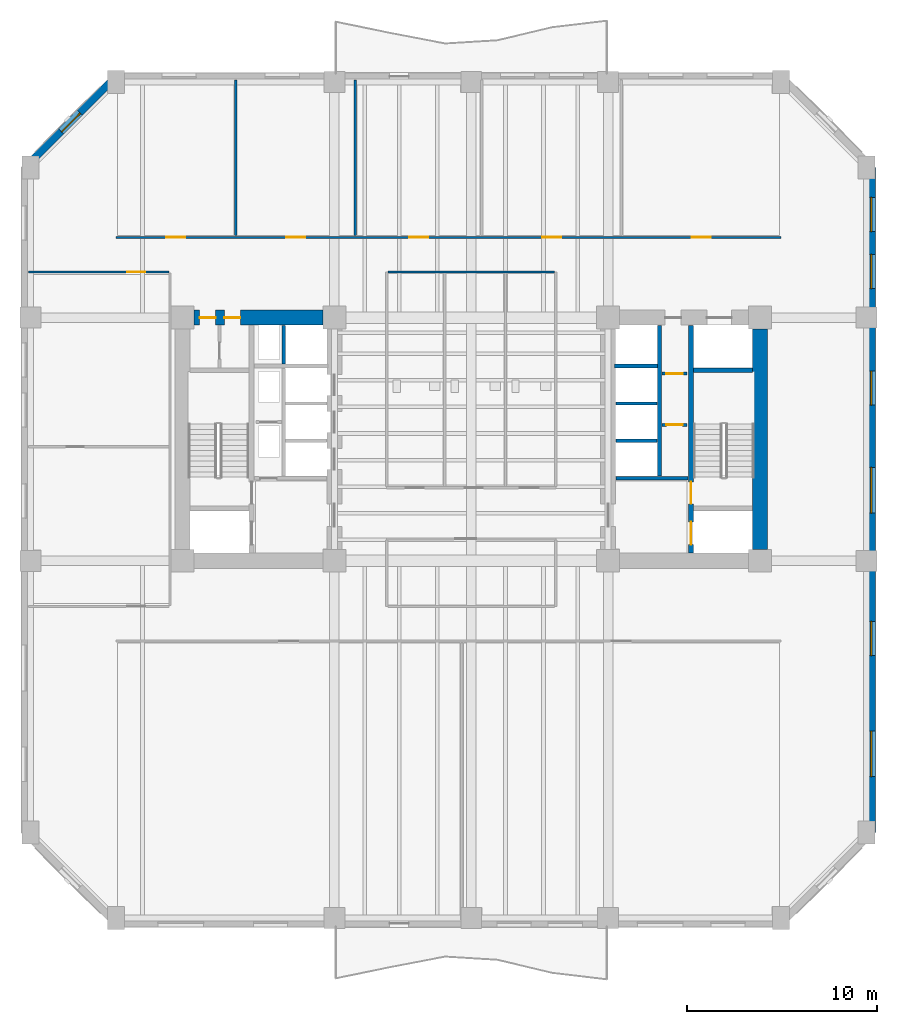
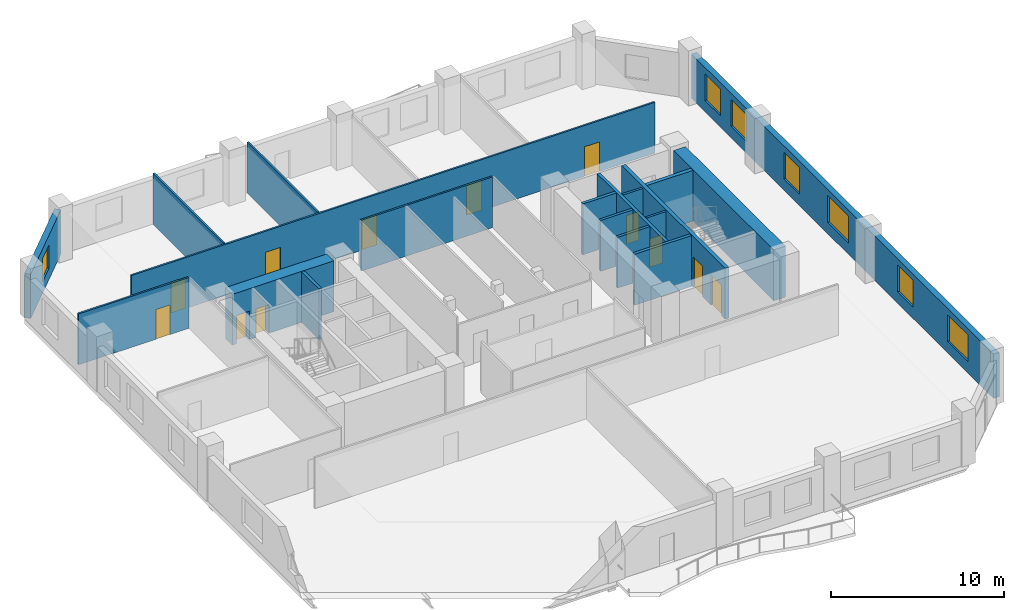
# One storey, part 4 of 10: 19 walls, 12 doors, 7 windows, 19 openings.
"""IFC4 building model written with IfcOpenShell, lengths in metres."""

from ifc_helpers import new_model, si_unit, direction, frame, frame_2d, origin, place, context, subcontext, project, spatial, rectangle, extrude, material, layer, layer_set, type_object, element, fill, save


model = new_model("IFC4")

# Units and contexts
model_context = context("Model", 3, precision=1e-05, world=origin(), true_north=direction((0.0, 1.0)))
body_context = subcontext(model_context, "Body", "Model", "MODEL_VIEW")
ifc_project = project(units=[si_unit("LENGTHUNIT", "METRE"), si_unit("AREAUNIT", "SQUARE_METRE"), si_unit("VOLUMEUNIT", "CUBIC_METRE"), si_unit("PLANEANGLEUNIT", "RADIAN"), si_unit("MASSUNIT", "GRAM", prefix="KILO")], contexts=[model_context])

# Site, building, storey
site_placement = place(None, origin())
site = spatial("IfcSite", under=ifc_project, at=site_placement, CompositionType="ELEMENT")
building_placement = place(site_placement, origin())
building = spatial("IfcBuilding", under=site, at=building_placement, Name="Kranthara Brick Stack", CompositionType="ELEMENT")
storey_placement = place(building_placement, frame((0.0, 0.0, 32.10009765625)))
storey = spatial("IfcBuildingStorey", under=building, at=storey_placement, Name="L07", CompositionType="ELEMENT", Elevation=32.10009765625)

# Wall, opening, window
ifc_material_1 = material(Name="Kiln-fired clay brick masonry M15", Category="masonry")
ifc_layer_1 = layer(ifc_material_1, 0.3798828125)
ifc_layer_set_1 = layer_set([ifc_layer_1], Name="Kiln-fired clay brick masonry M15")
wall_type_1 = type_object("IfcWallType", Name="WL-BRK-PIER-380", PredefinedType="STANDARD", material=ifc_layer_set_1)
wall_1_placement = place(storey_placement, frame((4.510009765625, 41.5, 0.0), z_axis=(0.0, 0.0, 1.0), x_axis=(0.707106781187, 0.707106781187, 0.0)))
wall_1 = element("IfcWall", 1, at=wall_1_placement, inside=storey, type_object=wall_type_1, Name="L07 Exterior Brick Facade Wall NW 1", PredefinedType="STANDARD", context=body_context, shape_type="SweptSolid", body=[
    extrude(rectangle(XDim=6.774169921875, YDim=0.3798828125, at=frame_2d((3.38720703125, 0.0))), origin(), (0.0, 0.0, 1.0), 3.135009765625),
])
opening_1_placement = place(wall_1_placement, frame((2.68701171875, 0.0, 0.800048828125)))
opening_1 = element("IfcOpeningElement", 2, at=opening_1_placement, cuts=wall_1, Name="Opening WN10", PredefinedType="OPENING", context=body_context, shape_type="SweptSolid", body=[
    extrude(rectangle(XDim=1.39990234375, YDim=1.64990234375, at=frame_2d((0.699951171875, 0.824951171875))), frame((0.0, 0.199951171875, 0.0), z_axis=(0.0, -1.0, 0.0), x_axis=(1.0, 0.0, 0.0)), (0.0, 0.0, 1.0), 0.39990234375),
])
ifc_material_2 = material(Name="Double-glazed low-E solar control glass", Category="glass")
window_type_1 = type_object("IfcWindowType", Name="WN-CHM-1400x1750", PartitioningType="SINGLE_PANEL", PredefinedType="WINDOW", material=ifc_material_2)
window_1_placement = place(opening_1_placement, origin())
window_1 = element("IfcWindow", 3, at=window_1_placement, inside=storey, type_object=window_type_1, Name="L07 NW Chamfer Corner Window", OverallHeight=1.64990234375, OverallWidth=1.39990234375, PartitioningType="SINGLE_PANEL", PredefinedType="WINDOW", context=body_context, shape_type="SweptSolid", body=[
    extrude(rectangle(XDim=1.39990234375, YDim=1.64990234375, at=frame_2d((0.699951171875, 0.824951171875))), frame((0.0, -0.010009765625, 0.0), z_axis=(0.0, -1.0, 0.0), x_axis=(1.0, 0.0, 0.0)), (0.0, 0.0, 1.0), 0.06005859375),
])
fill(opening_1, window_1)

# Wall, openings, windows
wall_2_placement = place(storey_placement, frame((49.090087890625, 41.5, 0.0), z_axis=(0.0, 0.0, 1.0), x_axis=(0.0, -1.0, 0.0)))
wall_2 = element("IfcWall", 4, at=wall_2_placement, inside=storey, type_object=wall_type_1, Name="L07 Exterior Brick Facade Wall EAST 1", PredefinedType="STANDARD", context=body_context, shape_type="SweptSolid", body=[
    extrude(rectangle(XDim=35.0, YDim=0.3798828125, at=frame_2d((17.5, 0.0))), origin(), (0.0, 0.0, 1.0), 3.135009765625),
])
opening_2_placement = place(wall_2_placement, frame((1.574951171875, 0.0, 0.800048828125)))
opening_2 = element("IfcOpeningElement", 5, at=opening_2_placement, cuts=wall_2, Name="Opening WN01", PredefinedType="OPENING", context=body_context, shape_type="SweptSolid", body=[
    extrude(rectangle(XDim=1.800048828125, YDim=1.89990234375, at=frame_2d((0.89990234375, 0.949951171875))), frame((0.0, 0.199951171875, 0.0), z_axis=(0.0, -1.0, 0.0), x_axis=(1.0, 0.0, 0.0)), (0.0, 0.0, 1.0), 0.39990234375),
])
opening_3_placement = place(wall_2_placement, frame((4.574951171875, 0.0, 0.800048828125)))
opening_3 = element("IfcOpeningElement", 6, at=opening_3_placement, cuts=wall_2, Name="Opening WN01", PredefinedType="OPENING", context=body_context, shape_type="SweptSolid", body=[
    extrude(rectangle(XDim=1.800048828125, YDim=1.89990234375, at=frame_2d((0.89990234375, 0.949951171875))), frame((0.0, 0.199951171875, 0.0), z_axis=(0.0, -1.0, 0.0), x_axis=(1.0, 0.0, 0.0)), (0.0, 0.0, 1.0), 0.39990234375),
])
opening_4_placement = place(wall_2_placement, frame((10.7119140625, 0.0, 0.800048828125)))
opening_4 = element("IfcOpeningElement", 7, at=opening_4_placement, cuts=wall_2, Name="Opening WN01", PredefinedType="OPENING", context=body_context, shape_type="SweptSolid", body=[
    extrude(rectangle(XDim=1.800048828125, YDim=1.89990234375, at=frame_2d((0.89990234375, 0.949951171875))), frame((0.0, 0.199951171875, 0.0), z_axis=(0.0, -1.0, 0.0), x_axis=(1.0, 0.0, 0.0)), (0.0, 0.0, 1.0), 0.39990234375),
])
opening_5_placement = place(wall_2_placement, frame((15.7880859375, 0.0, 0.800048828125)))
opening_5 = element("IfcOpeningElement", 8, at=opening_5_placement, cuts=wall_2, Name="Opening WN02", PredefinedType="OPENING", context=body_context, shape_type="SweptSolid", body=[
    extrude(rectangle(XDim=2.39990234375, YDim=1.89990234375, at=frame_2d((1.199951171875, 0.949951171875))), frame((0.0, 0.199951171875, 0.0), z_axis=(0.0, -1.0, 0.0), x_axis=(1.0, 0.0, 0.0)), (0.0, 0.0, 1.0), 0.39990234375),
])
opening_6_placement = place(wall_2_placement, frame((23.888916015625, 0.0, 0.800048828125)))
opening_6 = element("IfcOpeningElement", 9, at=opening_6_placement, cuts=wall_2, Name="Opening WN01", PredefinedType="OPENING", context=body_context, shape_type="SweptSolid", body=[
    extrude(rectangle(XDim=1.800048828125, YDim=1.89990234375, at=frame_2d((0.89990234375, 0.949951171875))), frame((0.0, 0.199951171875, 0.0), z_axis=(0.0, -1.0, 0.0), x_axis=(1.0, 0.0, 0.0)), (0.0, 0.0, 1.0), 0.39990234375),
])
opening_7_placement = place(wall_2_placement, frame((29.660888671875, 0.0, 0.800048828125)))
opening_7 = element("IfcOpeningElement", 10, at=opening_7_placement, cuts=wall_2, Name="Opening WN02", PredefinedType="OPENING", context=body_context, shape_type="SweptSolid", body=[
    extrude(rectangle(XDim=2.39990234375, YDim=1.89990234375, at=frame_2d((1.199951171875, 0.949951171875))), frame((0.0, 0.199951171875, 0.0), z_axis=(0.0, -1.0, 0.0), x_axis=(1.0, 0.0, 0.0)), (0.0, 0.0, 1.0), 0.39990234375),
])
ifc_material_3 = material(Name="Double-glazed low-E solar control glass", Category="glass")
window_type_2 = type_object("IfcWindowType", Name="WN-OFF-1800x2000", PartitioningType="SINGLE_PANEL", PredefinedType="WINDOW", material=ifc_material_3)
window_2_placement = place(opening_2_placement, origin())
window_2 = element("IfcWindow", 11, at=window_2_placement, inside=storey, type_object=window_type_2, Name="L07 East Deep-Set Brick Window 01", OverallHeight=1.89990234375, OverallWidth=1.800048828125, PartitioningType="SINGLE_PANEL", PredefinedType="WINDOW", context=body_context, shape_type="SweptSolid", body=[
    extrude(rectangle(XDim=1.800048828125, YDim=1.89990234375, at=frame_2d((0.89990234375, 0.949951171875))), frame((0.0, -0.010009765625, 0.0), z_axis=(0.0, -1.0, 0.0), x_axis=(1.0, 0.0, 0.0)), (0.0, 0.0, 1.0), 0.06005859375),
])
fill(opening_2, window_2)
window_3_placement = place(opening_3_placement, origin())
window_3 = element("IfcWindow", 12, at=window_3_placement, inside=storey, type_object=window_type_2, Name="L07 East Deep-Set Brick Window 02", OverallHeight=1.89990234375, OverallWidth=1.800048828125, PartitioningType="SINGLE_PANEL", PredefinedType="WINDOW", context=body_context, shape_type="SweptSolid", body=[
    extrude(rectangle(XDim=1.800048828125, YDim=1.89990234375, at=frame_2d((0.89990234375, 0.949951171875))), frame((0.0, -0.010009765625, 0.0), z_axis=(0.0, -1.0, 0.0), x_axis=(1.0, 0.0, 0.0)), (0.0, 0.0, 1.0), 0.06005859375),
])
fill(opening_3, window_3)
window_4_placement = place(opening_4_placement, origin())
window_4 = element("IfcWindow", 13, at=window_4_placement, inside=storey, type_object=window_type_2, Name="L07 East Deep-Set Brick Window 03", OverallHeight=1.89990234375, OverallWidth=1.800048828125, PartitioningType="SINGLE_PANEL", PredefinedType="WINDOW", context=body_context, shape_type="SweptSolid", body=[
    extrude(rectangle(XDim=1.800048828125, YDim=1.89990234375, at=frame_2d((0.89990234375, 0.949951171875))), frame((0.0, -0.010009765625, 0.0), z_axis=(0.0, -1.0, 0.0), x_axis=(1.0, 0.0, 0.0)), (0.0, 0.0, 1.0), 0.06005859375),
])
fill(opening_4, window_4)
window_5_placement = place(opening_6_placement, origin())
window_5 = element("IfcWindow", 14, at=window_5_placement, inside=storey, type_object=window_type_2, Name="L07 East Deep-Set Brick Window 05", OverallHeight=1.89990234375, OverallWidth=1.800048828125, PartitioningType="SINGLE_PANEL", PredefinedType="WINDOW", context=body_context, shape_type="SweptSolid", body=[
    extrude(rectangle(XDim=1.800048828125, YDim=1.89990234375, at=frame_2d((0.89990234375, 0.949951171875))), frame((0.0, -0.010009765625, 0.0), z_axis=(0.0, -1.0, 0.0), x_axis=(1.0, 0.0, 0.0)), (0.0, 0.0, 1.0), 0.06005859375),
])
fill(opening_6, window_5)
ifc_material_4 = material(Name="Double-glazed low-E solar control glass", Category="glass")
window_type_3 = type_object("IfcWindowType", Name="WN-OFF-2400x2000", PartitioningType="DOUBLE_PANEL_VERTICAL", PredefinedType="WINDOW", material=ifc_material_4)
window_6_placement = place(opening_5_placement, origin())
window_6 = element("IfcWindow", 15, at=window_6_placement, inside=storey, type_object=window_type_3, Name="L07 East Deep-Set Brick Window 04", OverallHeight=1.89990234375, OverallWidth=2.39990234375, PartitioningType="SINGLE_PANEL", PredefinedType="WINDOW", context=body_context, shape_type="SweptSolid", body=[
    extrude(rectangle(XDim=2.39990234375, YDim=1.89990234375, at=frame_2d((1.199951171875, 0.949951171875))), frame((0.0, -0.010009765625, 0.0), z_axis=(0.0, -1.0, 0.0), x_axis=(1.0, 0.0, 0.0)), (0.0, 0.0, 1.0), 0.06005859375),
])
fill(opening_5, window_6)
window_7_placement = place(opening_7_placement, origin())
window_7 = element("IfcWindow", 16, at=window_7_placement, inside=storey, type_object=window_type_3, Name="L07 East Deep-Set Brick Window 06", OverallHeight=1.89990234375, OverallWidth=2.39990234375, PartitioningType="SINGLE_PANEL", PredefinedType="WINDOW", context=body_context, shape_type="SweptSolid", body=[
    extrude(rectangle(XDim=2.39990234375, YDim=1.89990234375, at=frame_2d((1.199951171875, 0.949951171875))), frame((0.0, -0.010009765625, 0.0), z_axis=(0.0, -1.0, 0.0), x_axis=(1.0, 0.0, 0.0)), (0.0, 0.0, 1.0), 0.06005859375),
])
fill(opening_7, window_7)

# Wall, openings, doors
ifc_material_5 = material(Name="Concrete C50/60", Category="concrete")
ifc_layer_2 = layer(ifc_material_5, 0.25)
ifc_layer_set_2 = layer_set([ifc_layer_2], Name="Concrete C50/60")
wall_type_2 = type_object("IfcWallType", Name="WL-CORE-250", PredefinedType="SHEAR", material=ifc_layer_set_2)
wall_3_placement = place(storey_placement, frame((39.56494140625, 21.2099609375, 0.0), z_axis=(0.0, 0.0, 1.0), x_axis=(0.0, 1.0, 0.0)))
wall_3 = element("IfcWall", 17, at=wall_3_placement, inside=storey, type_object=wall_type_2, Name="L07 East Core Stair Bearing Spine Wall", PredefinedType="SHEAR", context=body_context, shape_type="SweptSolid", body=[
    extrude(rectangle(XDim=11.97998046875, YDim=0.25, at=frame_2d((5.989990234375, 0.0))), origin(), (0.0, 0.0, 1.0), 3.599853515625),
])
opening_8_placement = place(wall_3_placement, frame((0.43994140625, 0.0, 0.0)))
opening_8 = element("IfcOpeningElement", 18, at=opening_8_placement, cuts=wall_3, Name="Opening LD01", PredefinedType="OPENING", context=body_context, shape_type="SweptSolid", body=[
    extrude(rectangle(XDim=1.199951171875, YDim=2.14990234375, at=frame_2d((0.60009765625, 1.074951171875))), frame((0.0, 0.135009765625, 0.0), z_axis=(0.0, -1.0, 0.0), x_axis=(1.0, 0.0, 0.0)), (0.0, 0.0, 1.0), 0.27001953125),
])
opening_9_placement = place(wall_3_placement, frame((2.590087890625, 0.0, 0.0)))
opening_9 = element("IfcOpeningElement", 19, at=opening_9_placement, cuts=wall_3, Name="Opening D05", PredefinedType="OPENING", context=body_context, shape_type="SweptSolid", body=[
    extrude(rectangle(XDim=1.14990234375, YDim=2.14990234375, at=frame_2d((0.574951171875, 1.074951171875))), frame((0.0, 0.135009765625, 0.0), z_axis=(0.0, -1.0, 0.0), x_axis=(1.0, 0.0, 0.0)), (0.0, 0.0, 1.0), 0.27001953125),
])
ifc_material_6 = material(Name="Stainless steel sliding landing door", Category="steel")
door_type_1 = type_object("IfcDoorType", Name="DR-LD-FF1200", OperationType="DOUBLE_DOOR_SLIDING", PredefinedType="DOOR", material=ifc_material_6)
door_1_placement = place(opening_8_placement, origin())
door_1 = element("IfcDoor", 20, at=door_1_placement, inside=storey, type_object=door_type_1, Name="L07 Firefighting Lift FF-02 Landing Door", OperationType="DOUBLE_DOOR_SLIDING", OverallHeight=2.14990234375, OverallWidth=1.199951171875, PredefinedType="DOOR", context=body_context, shape_type="SweptSolid", body=[
    extrude(rectangle(XDim=1.199951171875, YDim=2.14990234375, at=frame_2d((0.60009765625, 1.074951171875))), frame((0.0, 0.02490234375, 0.0), z_axis=(0.0, -1.0, 0.0), x_axis=(1.0, 0.0, 0.0)), (0.0, 0.0, 1.0), 0.050048828125),
])
fill(opening_8, door_1)
ifc_material_7 = material(Name="Solid-core hardwood timber leaf in steel frame", Category="steel")
door_type_2 = type_object("IfcDoorType", Name="DR-ST-1150", OperationType="NOTDEFINED", PredefinedType="DOOR", material=ifc_material_7)
door_2_placement = place(opening_9_placement, origin())
door_2 = element("IfcDoor", 21, at=door_2_placement, inside=storey, type_object=door_type_2, Name="L07 Exit Stair ST02 Door", OperationType="SINGLE_SWING_LEFT", OverallHeight=2.14990234375, OverallWidth=1.14990234375, PredefinedType="DOOR", context=body_context, shape_type="SweptSolid", body=[
    extrude(rectangle(XDim=1.14990234375, YDim=2.14990234375, at=frame_2d((0.574951171875, 1.074951171875))), frame((0.0, 0.02490234375, 0.0), z_axis=(0.0, -1.0, 0.0), x_axis=(1.0, 0.0, 0.0)), (0.0, 0.0, 1.0), 0.050048828125),
])
fill(opening_9, door_2)

# Wall
wall_4_placement = place(storey_placement, frame((39.68994140625, 30.830078125, 0.0), z_axis=(0.0, 0.0, 1.0), x_axis=(1.0, 0.0, 0.0)))
element("IfcWall", 22, at=wall_4_placement, inside=storey, type_object=wall_type_2, Name="L07 East Stairwell Bearing Wall EST", PredefinedType="SHEAR", context=body_context, shape_type="SweptSolid", body=[
    extrude(rectangle(XDim=3.10009765625, YDim=0.25, at=frame_2d((1.550048828125, 0.0))), origin(), (0.0, 0.0, 1.0), 3.599853515625),
])

# Wall, openings, doors
ifc_material_8 = material(Name="Concrete C70/85", Category="concrete")
ifc_layer_3 = layer(ifc_material_8, 0.800048828125)
ifc_layer_set_3 = layer_set([ifc_layer_3], Name="Concrete C70/85")
wall_type_3 = type_object("IfcWallType", Name="WL-CORE-800", PredefinedType="SHEAR", material=ifc_layer_set_3)
wall_5_placement = place(storey_placement, frame((13.405029296875, 33.60009765625, 0.0), z_axis=(0.0, 0.0, 1.0), x_axis=(1.0, 0.0, 0.0)))
wall_5 = element("IfcWall", 23, at=wall_5_placement, inside=storey, type_object=wall_type_3, Name="L07 West Core Shear Wall North", PredefinedType="SHEAR", context=body_context, shape_type="SweptSolid", body=[
    extrude(rectangle(XDim=6.7900390625, YDim=0.800048828125, at=frame_2d((3.39501953125, 0.0))), origin(), (0.0, 0.0, 1.0), 3.599853515625),
])
opening_10_placement = place(wall_5_placement, frame((0.294921875, 0.0, 0.0)))
opening_10 = element("IfcOpeningElement", 24, at=opening_10_placement, cuts=wall_5, Name="Opening D10", PredefinedType="OPENING", context=body_context, shape_type="SweptSolid", body=[
    extrude(rectangle(XDim=0.85009765625, YDim=2.02001953125, at=frame_2d((0.425048828125, 1.010009765625))), frame((0.0, 0.409912109375, 0.0), z_axis=(0.0, -1.0, 0.0), x_axis=(1.0, 0.0, 0.0)), (0.0, 0.0, 1.0), 0.820068359375),
])
opening_11_placement = place(wall_5_placement, frame((1.594970703125, 0.0, 0.0)))
opening_11 = element("IfcOpeningElement", 25, at=opening_11_placement, cuts=wall_5, Name="Opening D10", PredefinedType="OPENING", context=body_context, shape_type="SweptSolid", body=[
    extrude(rectangle(XDim=0.85009765625, YDim=2.02001953125, at=frame_2d((0.425048828125, 1.010009765625))), frame((0.0, 0.409912109375, 0.0), z_axis=(0.0, -1.0, 0.0), x_axis=(1.0, 0.0, 0.0)), (0.0, 0.0, 1.0), 0.820068359375),
])
ifc_material_9 = material(Name="Solid-core hardwood timber leaf in steel frame", Category="steel")
door_type_3 = type_object("IfcDoorType", Name="DR-RSR-850", OperationType="NOTDEFINED", PredefinedType="DOOR", material=ifc_material_9)
door_3_placement = place(opening_10_placement, origin())
door_3 = element("IfcDoor", 26, at=door_3_placement, inside=storey, type_object=door_type_3, Name="L07 West Core Service Door 1", OperationType="SINGLE_SWING_LEFT", OverallHeight=2.02001953125, OverallWidth=0.85009765625, PredefinedType="DOOR", context=body_context, shape_type="SweptSolid", body=[
    extrude(rectangle(XDim=0.85009765625, YDim=2.02001953125, at=frame_2d((0.425048828125, 1.010009765625))), frame((0.0, 0.02490234375, 0.0), z_axis=(0.0, -1.0, 0.0), x_axis=(1.0, 0.0, 0.0)), (0.0, 0.0, 1.0), 0.050048828125),
])
fill(opening_10, door_3)
door_4_placement = place(opening_11_placement, origin())
door_4 = element("IfcDoor", 27, at=door_4_placement, inside=storey, type_object=door_type_3, Name="L07 West Core Service Door 2", OperationType="SINGLE_SWING_RIGHT", OverallHeight=2.02001953125, OverallWidth=0.85009765625, PredefinedType="DOOR", context=body_context, shape_type="SweptSolid", body=[
    extrude(rectangle(XDim=0.85009765625, YDim=2.02001953125, at=frame_2d((0.425048828125, 1.010009765625))), frame((0.0, 0.02490234375, 0.0), z_axis=(0.0, -1.0, 0.0), x_axis=(1.0, 0.0, 0.0)), (0.0, 0.0, 1.0), 0.050048828125),
])
fill(opening_11, door_4)

# Walls
wall_6_placement = place(storey_placement, frame((43.199951171875, 21.405029296875, 0.0), z_axis=(0.0, 0.0, 1.0), x_axis=(0.0, 1.0, 0.0)))
element("IfcWall", 28, at=wall_6_placement, inside=storey, type_object=wall_type_3, Name="L07 East Core Shear Wall East", PredefinedType="SHEAR", context=body_context, shape_type="SweptSolid", body=[
    extrude(rectangle(XDim=11.590087890625, YDim=0.800048828125, at=frame_2d((5.794921875, 0.0))), origin(), (0.0, 0.0, 1.0), 3.599853515625),
])
ifc_material_10 = material(Name="Acoustic gypsum plasterboard partition", Category="other")
ifc_layer_4 = layer(ifc_material_10, 0.1201171875)
ifc_layer_set_4 = layer_set([ifc_layer_4], Name="Acoustic gypsum plasterboard partition")
wall_type_4 = type_object("IfcWallType", Name="WL-PART-120", PredefinedType="PARTITIONING", material=ifc_layer_set_4)
wall_7_placement = place(storey_placement, frame((23.614990234375, 36.0, 0.0), z_axis=(0.0, 0.0, 1.0), x_axis=(1.0, 0.0, 0.0)))
element("IfcWall", 29, at=wall_7_placement, inside=storey, type_object=wall_type_4, Name="L07 Interior Partition 010", PredefinedType="PARTITIONING", context=body_context, shape_type="SweptSolid", body=[
    extrude(rectangle(XDim=8.77001953125, YDim=0.1201171875, at=frame_2d((4.385009765625, 0.0))), origin(), (0.0, 0.0, 1.0), 3.599853515625),
])

# Wall, openings, doors
wall_8_placement = place(storey_placement, frame((9.300048828125, 37.820068359375, 0.0), z_axis=(0.0, 0.0, 1.0), x_axis=(1.0, 0.0, 0.0)))
wall_8 = element("IfcWall", 30, at=wall_8_placement, inside=storey, type_object=wall_type_4, Name="L07 Interior Partition 017", PredefinedType="PARTITIONING", context=body_context, shape_type="SweptSolid", body=[
    extrude(rectangle(XDim=35.0, YDim=0.1201171875, at=frame_2d((17.5, 0.0))), origin(), (0.0, 0.0, 1.0), 3.599853515625),
])
opening_12_placement = place(wall_8_placement, frame((2.64990234375, 0.0, 0.0)))
opening_12 = element("IfcOpeningElement", 31, at=opening_12_placement, cuts=wall_8, Name="Opening D13", PredefinedType="OPENING", context=body_context, shape_type="SweptSolid", body=[
    extrude(rectangle(XDim=1.0, YDim=2.10009765625, at=frame_2d((0.5, 1.050048828125))), frame((0.0, 0.070068359375, 0.0), z_axis=(0.0, -1.0, 0.0), x_axis=(1.0, 0.0, 0.0)), (0.0, 0.0, 1.0), 0.14013671875),
])
opening_13_placement = place(wall_8_placement, frame((8.949951171875, 0.0, 0.0)))
opening_13 = element("IfcOpeningElement", 32, at=opening_13_placement, cuts=wall_8, Name="Opening D13", PredefinedType="OPENING", context=body_context, shape_type="SweptSolid", body=[
    extrude(rectangle(XDim=1.0, YDim=2.10009765625, at=frame_2d((0.5, 1.050048828125))), frame((0.0, 0.070068359375, 0.0), z_axis=(0.0, -1.0, 0.0), x_axis=(1.0, 0.0, 0.0)), (0.0, 0.0, 1.0), 0.14013671875),
])
opening_14_placement = place(wall_8_placement, frame((15.425048828125, 0.0, 0.0)))
opening_14 = element("IfcOpeningElement", 33, at=opening_14_placement, cuts=wall_8, Name="Opening D13", PredefinedType="OPENING", context=body_context, shape_type="SweptSolid", body=[
    extrude(rectangle(XDim=1.0, YDim=2.10009765625, at=frame_2d((0.5, 1.050048828125))), frame((0.0, 0.070068359375, 0.0), z_axis=(0.0, -1.0, 0.0), x_axis=(1.0, 0.0, 0.0)), (0.0, 0.0, 1.0), 0.14013671875),
])
opening_15_placement = place(wall_8_placement, frame((22.425048828125, 0.0, 0.0)))
opening_15 = element("IfcOpeningElement", 34, at=opening_15_placement, cuts=wall_8, Name="Opening D13", PredefinedType="OPENING", context=body_context, shape_type="SweptSolid", body=[
    extrude(rectangle(XDim=1.0, YDim=2.10009765625, at=frame_2d((0.5, 1.050048828125))), frame((0.0, 0.070068359375, 0.0), z_axis=(0.0, -1.0, 0.0), x_axis=(1.0, 0.0, 0.0)), (0.0, 0.0, 1.0), 0.14013671875),
])
opening_16_placement = place(wall_8_placement, frame((30.300048828125, 0.0, 0.0)))
opening_16 = element("IfcOpeningElement", 35, at=opening_16_placement, cuts=wall_8, Name="Opening D13", PredefinedType="OPENING", context=body_context, shape_type="SweptSolid", body=[
    extrude(rectangle(XDim=1.0, YDim=2.10009765625, at=frame_2d((0.5, 1.050048828125))), frame((0.0, 0.070068359375, 0.0), z_axis=(0.0, -1.0, 0.0), x_axis=(1.0, 0.0, 0.0)), (0.0, 0.0, 1.0), 0.14013671875),
])
ifc_material_11 = material(Name="Solid-core hardwood timber leaf in steel frame", Category="steel")
door_type_4 = type_object("IfcDoorType", Name="DR-INT-1000", OperationType="NOTDEFINED", PredefinedType="DOOR", material=ifc_material_11)
door_5_placement = place(opening_12_placement, origin())
door_5 = element("IfcDoor", 36, at=door_5_placement, inside=storey, type_object=door_type_4, Name="L07 Executive Cellular Office 11", OperationType="SINGLE_SWING_LEFT", OverallHeight=2.10009765625, OverallWidth=1.0, PredefinedType="DOOR", context=body_context, shape_type="SweptSolid", body=[
    extrude(rectangle(XDim=1.0, YDim=2.10009765625, at=frame_2d((0.5, 1.050048828125))), frame((0.0, 0.02490234375, 0.0), z_axis=(0.0, -1.0, 0.0), x_axis=(1.0, 0.0, 0.0)), (0.0, 0.0, 1.0), 0.050048828125),
])
fill(opening_12, door_5)
door_6_placement = place(opening_13_placement, origin())
door_6 = element("IfcDoor", 37, at=door_6_placement, inside=storey, type_object=door_type_4, Name="L07 Executive Cellular Office 12", OperationType="SINGLE_SWING_RIGHT", OverallHeight=2.10009765625, OverallWidth=1.0, PredefinedType="DOOR", context=body_context, shape_type="SweptSolid", body=[
    extrude(rectangle(XDim=1.0, YDim=2.10009765625, at=frame_2d((0.5, 1.050048828125))), frame((0.0, 0.02490234375, 0.0), z_axis=(0.0, -1.0, 0.0), x_axis=(1.0, 0.0, 0.0)), (0.0, 0.0, 1.0), 0.050048828125),
])
fill(opening_13, door_6)
door_7_placement = place(opening_14_placement, origin())
door_7 = element("IfcDoor", 38, at=door_7_placement, inside=storey, type_object=door_type_4, Name="L07 Executive Cellular Office 13", OperationType="SINGLE_SWING_LEFT", OverallHeight=2.10009765625, OverallWidth=1.0, PredefinedType="DOOR", context=body_context, shape_type="SweptSolid", body=[
    extrude(rectangle(XDim=1.0, YDim=2.10009765625, at=frame_2d((0.5, 1.050048828125))), frame((0.0, 0.02490234375, 0.0), z_axis=(0.0, -1.0, 0.0), x_axis=(1.0, 0.0, 0.0)), (0.0, 0.0, 1.0), 0.050048828125),
])
fill(opening_14, door_7)
door_8_placement = place(opening_15_placement, origin())
door_8 = element("IfcDoor", 39, at=door_8_placement, inside=storey, type_object=door_type_4, Name="L07 Meeting Room 14", OperationType="SINGLE_SWING_RIGHT", OverallHeight=2.10009765625, OverallWidth=1.0, PredefinedType="DOOR", context=body_context, shape_type="SweptSolid", body=[
    extrude(rectangle(XDim=1.0, YDim=2.10009765625, at=frame_2d((0.5, 1.050048828125))), frame((0.0, 0.02490234375, 0.0), z_axis=(0.0, -1.0, 0.0), x_axis=(1.0, 0.0, 0.0)), (0.0, 0.0, 1.0), 0.050048828125),
])
fill(opening_15, door_8)
door_9_placement = place(opening_16_placement, origin())
door_9 = element("IfcDoor", 40, at=door_9_placement, inside=storey, type_object=door_type_4, Name="L07 Staff Pantry 15", OperationType="SINGLE_SWING_LEFT", OverallHeight=2.10009765625, OverallWidth=1.0, PredefinedType="DOOR", context=body_context, shape_type="SweptSolid", body=[
    extrude(rectangle(XDim=1.0, YDim=2.10009765625, at=frame_2d((0.5, 1.050048828125))), frame((0.0, 0.02490234375, 0.0), z_axis=(0.0, -1.0, 0.0), x_axis=(1.0, 0.0, 0.0)), (0.0, 0.0, 1.0), 0.050048828125),
])
fill(opening_16, door_9)

# Walls
for number, where, z_axis, x_axis, name in (
    (41, (15.60009765625, 37.919921875, 0.0), (0.0, 0.0, 1.0), (0.0, 1.0, 0.0), "L07 Interior Partition 018"),
    (42, (21.89990234375, 37.919921875, 0.0), (0.0, 0.0, 1.0), (0.0, 1.0, 0.0), "L07 Interior Partition 019"),
):
    element("IfcWall", number, at=place(storey_placement, frame(where, z_axis=z_axis, x_axis=x_axis)), inside=storey, type_object=wall_type_4, Name=name, PredefinedType="PARTITIONING", context=body_context, shape_type="SweptSolid", body=[
        extrude(rectangle(XDim=8.175048828125, YDim=0.1201171875, at=frame_2d((4.08740234375, 0.0))), origin(), (0.0, 0.0, 1.0), 3.599853515625),
    ])

# Wall, opening, door
wall_9_placement = place(storey_placement, frame((4.705078125, 36.0, 0.0), z_axis=(0.0, 0.0, 1.0), x_axis=(1.0, 0.0, 0.0)))
wall_9 = element("IfcWall", 43, at=wall_9_placement, inside=storey, type_object=wall_type_4, Name="L07 Interior Partition 024", PredefinedType="PARTITIONING", context=body_context, shape_type="SweptSolid", body=[
    extrude(rectangle(XDim=7.3798828125, YDim=0.1201171875, at=frame_2d((3.68994140625, 0.0))), origin(), (0.0, 0.0, 1.0), 3.599853515625),
])
opening_17_placement = place(wall_9_placement, frame((5.179931640625, 0.0, 0.0)))
opening_17 = element("IfcOpeningElement", 44, at=opening_17_placement, cuts=wall_9, Name="Opening D14", PredefinedType="OPENING", context=body_context, shape_type="SweptSolid", body=[
    extrude(rectangle(XDim=0.949951171875, YDim=2.10009765625, at=frame_2d((0.47509765625, 1.050048828125))), frame((0.0, 0.070068359375, 0.0), z_axis=(0.0, -1.0, 0.0), x_axis=(1.0, 0.0, 0.0)), (0.0, 0.0, 1.0), 0.14013671875),
])
ifc_material_12 = material(Name="Solid-core hardwood timber leaf in steel frame", Category="steel")
door_type_5 = type_object("IfcDoorType", Name="DR-INT-950", OperationType="NOTDEFINED", PredefinedType="DOOR", material=ifc_material_12)
door_10_placement = place(opening_17_placement, origin())
door_10 = element("IfcDoor", 45, at=door_10_placement, inside=storey, type_object=door_type_5, Name="L07 West North Office 18", OperationType="SINGLE_SWING_RIGHT", OverallHeight=2.10009765625, OverallWidth=0.949951171875, PredefinedType="DOOR", context=body_context, shape_type="SweptSolid", body=[
    extrude(rectangle(XDim=0.949951171875, YDim=2.10009765625, at=frame_2d((0.47509765625, 1.050048828125))), frame((0.0, 0.02490234375, 0.0), z_axis=(0.0, -1.0, 0.0), x_axis=(1.0, 0.0, 0.0)), (0.0, 0.0, 1.0), 0.050048828125),
])
fill(opening_17, door_10)

ifc_material_13 = material(Name="Fire-rated gypsum board partition", Category="other")
ifc_layer_5 = layer(ifc_material_13, 0.14990234375)
ifc_layer_set_5 = layer_set([ifc_layer_5], Name="Fire-rated gypsum board partition")
wall_type_5 = type_object("IfcWallType", Name="WL-PART-150", PredefinedType="PARTITIONING", material=ifc_layer_set_5)
wall_10_placement = place(storey_placement, frame((38.050048828125, 27.949951171875, 0.0), z_axis=(0.0, 0.0, 1.0), x_axis=(1.0, 0.0, 0.0)))
wall_10 = element("IfcWall", 46, at=wall_10_placement, inside=storey, type_object=wall_type_5, Name="L07 Interior Partition 002", PredefinedType="PARTITIONING", context=body_context, shape_type="SweptSolid", body=[
    extrude(rectangle(XDim=1.300048828125, YDim=0.14990234375, at=frame_2d((0.64990234375, 0.0))), origin(), (0.0, 0.0, 1.0), 3.599853515625),
])
opening_18_placement = place(wall_10_placement, frame((0.219970703125, 0.0, 0.0)))
opening_18 = element("IfcOpeningElement", 47, at=opening_18_placement, cuts=wall_10, Name="Opening D10", PredefinedType="OPENING", context=body_context, shape_type="SweptSolid", body=[
    extrude(rectangle(XDim=0.85009765625, YDim=2.02001953125, at=frame_2d((0.425048828125, 1.010009765625))), frame((0.0, 0.0849609375, 0.0), z_axis=(0.0, -1.0, 0.0), x_axis=(1.0, 0.0, 0.0)), (0.0, 0.0, 1.0), 0.169921875),
])
door_11_placement = place(opening_18_placement, origin())
door_11 = element("IfcDoor", 48, at=door_11_placement, inside=storey, type_object=door_type_3, Name="L07 Riser Door 1 02", OperationType="SINGLE_SWING_RIGHT", OverallHeight=2.02001953125, OverallWidth=0.85009765625, PredefinedType="DOOR", context=body_context, shape_type="SweptSolid", body=[
    extrude(rectangle(XDim=0.85009765625, YDim=2.02001953125, at=frame_2d((0.425048828125, 1.010009765625))), frame((0.0, 0.02490234375, 0.0), z_axis=(0.0, -1.0, 0.0), x_axis=(1.0, 0.0, 0.0)), (0.0, 0.0, 1.0), 0.050048828125),
])
fill(opening_18, door_11)

wall_11_placement = place(storey_placement, frame((38.050048828125, 30.64990234375, 0.0), z_axis=(0.0, 0.0, 1.0), x_axis=(1.0, 0.0, 0.0)))
wall_11 = element("IfcWall", 49, at=wall_11_placement, inside=storey, type_object=wall_type_5, Name="L07 Interior Partition 003", PredefinedType="PARTITIONING", context=body_context, shape_type="SweptSolid", body=[
    extrude(rectangle(XDim=1.300048828125, YDim=0.14990234375, at=frame_2d((0.64990234375, 0.0))), origin(), (0.0, 0.0, 1.0), 3.599853515625),
])
opening_19_placement = place(wall_11_placement, frame((0.219970703125, 0.0, 0.0)))
opening_19 = element("IfcOpeningElement", 50, at=opening_19_placement, cuts=wall_11, Name="Opening D10", PredefinedType="OPENING", context=body_context, shape_type="SweptSolid", body=[
    extrude(rectangle(XDim=0.85009765625, YDim=2.02001953125, at=frame_2d((0.425048828125, 1.010009765625))), frame((0.0, 0.0849609375, 0.0), z_axis=(0.0, -1.0, 0.0), x_axis=(1.0, 0.0, 0.0)), (0.0, 0.0, 1.0), 0.169921875),
])
door_12_placement = place(opening_19_placement, origin())
door_12 = element("IfcDoor", 51, at=door_12_placement, inside=storey, type_object=door_type_3, Name="L07 Riser Door 2 03", OperationType="SINGLE_SWING_LEFT", OverallHeight=2.02001953125, OverallWidth=0.85009765625, PredefinedType="DOOR", context=body_context, shape_type="SweptSolid", body=[
    extrude(rectangle(XDim=0.85009765625, YDim=2.02001953125, at=frame_2d((0.425048828125, 1.010009765625))), frame((0.0, 0.02490234375, 0.0), z_axis=(0.0, -1.0, 0.0), x_axis=(1.0, 0.0, 0.0)), (0.0, 0.0, 1.0), 0.050048828125),
])
fill(opening_19, door_12)

# Walls
ifc_material_14 = material(Name="Gypsum plasterboard on acoustic twin stud", Category="other")
ifc_layer_6 = layer(ifc_material_14, 0.179931640625)
ifc_layer_set_6 = layer_set([ifc_layer_6], Name="Gypsum plasterboard on acoustic twin stud")
wall_type_6 = type_object("IfcWallType", Name="WL-PART-180", PredefinedType="PARTITIONING", material=ifc_layer_set_6)
wall_12_placement = place(storey_placement, frame((18.1201171875, 31.169921875, 0.0), z_axis=(0.0, 0.0, 1.0), x_axis=(0.0, 1.0, 0.0)))
element("IfcWall", 52, at=wall_12_placement, inside=storey, type_object=wall_type_6, Name="L07 West Hoistway Wall WBK7", PredefinedType="PARTITIONING", context=body_context, shape_type="SweptSolid", body=[
    extrude(rectangle(XDim=2.02001953125, YDim=0.179931640625, at=frame_2d((1.010009765625, 0.0))), origin(), (0.0, 0.0, 1.0), 3.599853515625),
])
for number, where, z_axis, x_axis, name in (
    (53, (35.610107421875, 27.1201171875, 0.0), (0.0, 0.0, 1.0), (1.0, 0.0, 0.0), "L07 East Hoistway Wall EH1"),
    (54, (35.610107421875, 29.080078125, 0.0), (0.0, 0.0, 1.0), (1.0, 0.0, 0.0), "L07 East Hoistway Wall EH2"),
):
    element("IfcWall", number, at=place(storey_placement, frame(where, z_axis=z_axis, x_axis=x_axis)), inside=storey, type_object=wall_type_6, Name=name, PredefinedType="PARTITIONING", context=body_context, shape_type="SweptSolid", body=[
        extrude(rectangle(XDim=2.169921875, YDim=0.179931640625, at=frame_2d((1.0849609375, 0.0))), origin(), (0.0, 0.0, 1.0), 3.599853515625),
    ])
ifc_material_15 = material(Name="Concrete C40/50", Category="concrete")
ifc_layer_7 = layer(ifc_material_15, 0.199951171875)
ifc_layer_set_7 = layer_set([ifc_layer_7], Name="Concrete C40/50")
wall_type_7 = type_object("IfcWallType", Name="WL-PART-200", PredefinedType="SOLIDWALL", material=ifc_layer_set_7)
wall_13_placement = place(storey_placement, frame((35.610107421875, 25.14990234375, 0.0), z_axis=(0.0, 0.0, 1.0), x_axis=(1.0, 0.0, 0.0)))
element("IfcWall", 55, at=wall_13_placement, inside=storey, type_object=wall_type_7, Name="L07 East Core Cross Wall EFL", PredefinedType="SOLIDWALL", context=body_context, shape_type="SweptSolid", body=[
    extrude(rectangle(XDim=3.789794921875, YDim=0.199951171875, at=frame_2d((1.89501953125, 0.0))), origin(), (0.0, 0.0, 1.0), 3.599853515625),
])
wall_14_placement = place(storey_placement, frame((35.550048828125, 31.050048828125, 0.0), z_axis=(0.0, 0.0, 1.0), x_axis=(1.0, 0.0, 0.0)))
element("IfcWall", 56, at=wall_14_placement, inside=storey, type_object=wall_type_7, Name="L07 East Core Cross Wall EE4", PredefinedType="SOLIDWALL", context=body_context, shape_type="SweptSolid", body=[
    extrude(rectangle(XDim=2.25, YDim=0.199951171875, at=frame_2d((1.125, 0.0))), origin(), (0.0, 0.0, 1.0), 3.599853515625),
])
wall_15_placement = place(storey_placement, frame((37.89990234375, 25.27001953125, 0.0), z_axis=(0.0, 0.0, 1.0), x_axis=(0.0, 1.0, 0.0)))
element("IfcWall", 57, at=wall_15_placement, inside=storey, type_object=wall_type_7, Name="L07 East Core Cross Wall ESV", PredefinedType="SOLIDWALL", context=body_context, shape_type="SweptSolid", body=[
    extrude(rectangle(XDim=7.919921875, YDim=0.199951171875, at=frame_2d((3.9599609375, 0.0))), origin(), (0.0, 0.0, 1.0), 3.599853515625),
])

save(model, "model.ifc")
